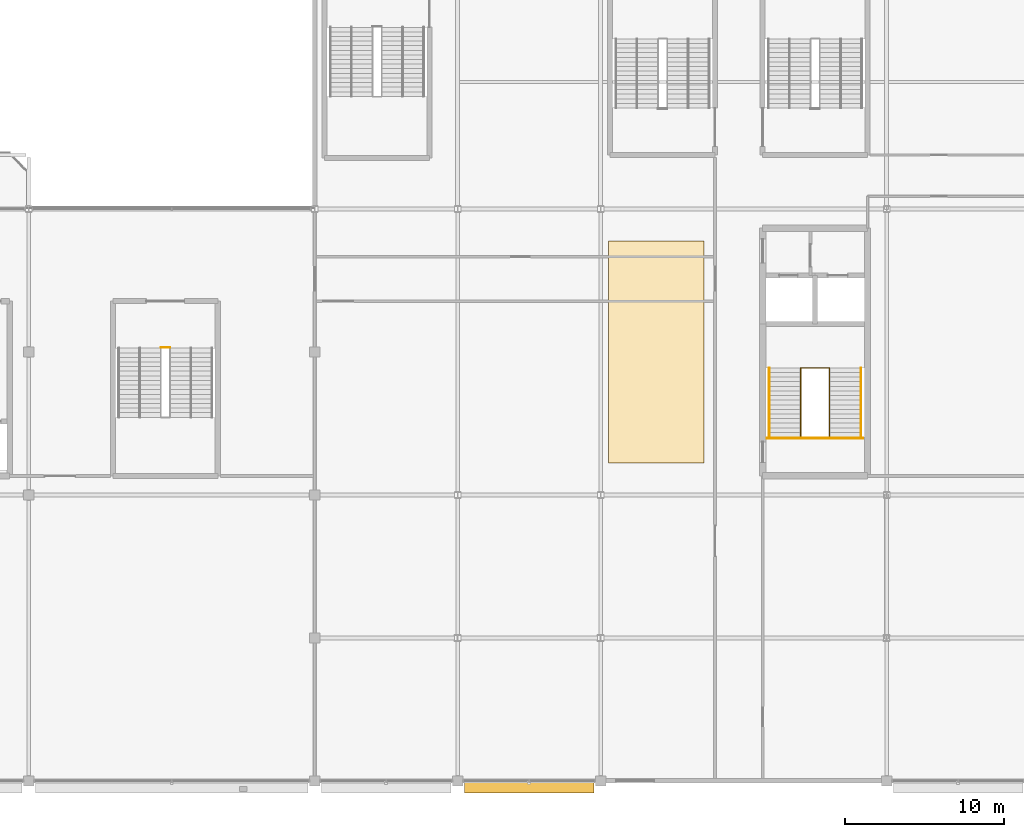
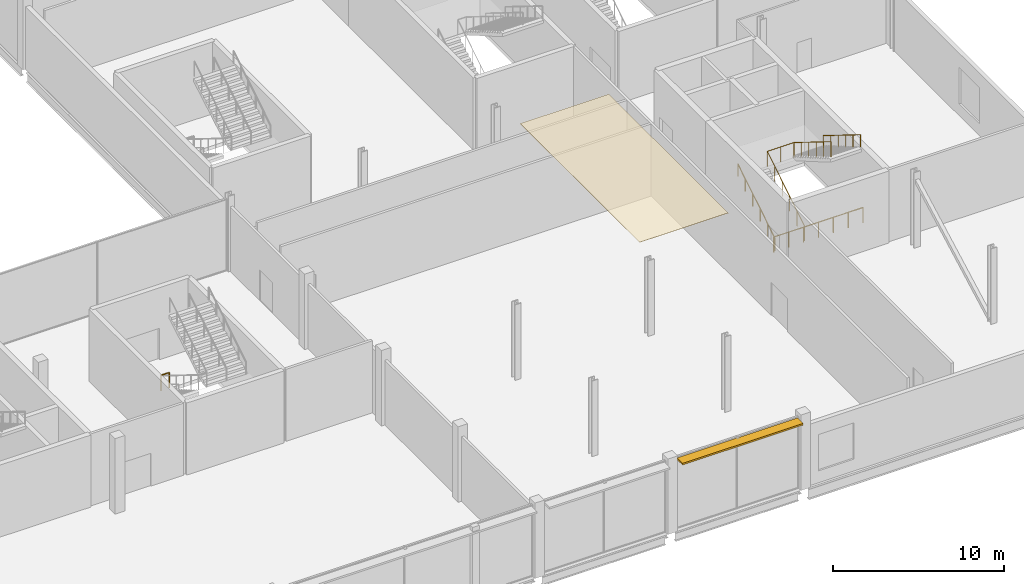
# One storey, part 107 of 113: 5 railings, 1 covering, 1 shading device.
"""IFC4 building model written with IfcOpenShell, lengths in metres."""

import ifcopenshell
import ifcopenshell.guid

model = None  # the IFC model being written
_history = None  # IfcOwnerHistory: only IFC2X3 demands one
_inside = {}  # id of a spatial element -> (the spatial element, [elements in it])
_under = {}  # id of a project, library or spatial element -> (it, [spatial elements below it])
_declared = {}  # id of a project -> (the project, [libraries it declares])
_typed = {}  # id of a type object -> (the type object, [elements of that type])
_made_of = {}  # id of a material, layer set ... -> (it, [elements and type objects made of it])


def new_model(schema):
    """Start an empty IFC model of exactly this schema.

    Asked for "IFC4X3", IfcOpenShell would pick the latest addendum, in which some entities
    have other attributes; the version numbers below select the first issue.
    IFC2X3 requires an IfcOwnerHistory on every rooted entity: one is made here for all.
    """
    global model, _history
    if schema == "IFC4X3":
        model = ifcopenshell.file(schema_version=(4, 3, 0, 0))
    else:
        model = ifcopenshell.file(schema=schema)
    _inside.clear()
    _under.clear()
    _declared.clear()
    _typed.clear()
    _made_of.clear()
    _history = None
    if model.schema == "IFC2X3":
        org = make("IfcOrganization", Name="unknown")
        user = make(
            "IfcPersonAndOrganization",
            ThePerson=make("IfcPerson", FamilyName="unknown"),
            TheOrganization=org,
        )
        app = make(
            "IfcApplication",
            ApplicationDeveloper=org,
            Version="unknown",
            ApplicationFullName="unknown",
            ApplicationIdentifier="unknown",
        )
        _history = make(
            "IfcOwnerHistory",
            OwningUser=user,
            OwningApplication=app,
            ChangeAction="ADDED",
            CreationDate=0,
        )
    return model


def make(cls, **values):
    """One entity of the class cls with the attributes given. An attribute that is None is left unset."""
    return model.create_entity(
        cls, **{name: value for name, value in values.items() if value is not None}
    )


def rooted(cls, **values):
    """An entity with a GlobalId (a new one), such as an element, a storey or a relation."""
    return make(cls, GlobalId=ifcopenshell.guid.new(), OwnerHistory=_history, **values)


def si_unit(unit_type, name, prefix=None):
    """IfcSIUnit, for example si_unit("LENGTHUNIT", "METRE", prefix="MILLI")."""
    return make("IfcSIUnit", UnitType=unit_type, Prefix=prefix, Name=name)


def assignment(units):
    """IfcUnitAssignment: the units of a project."""
    return None if units is None else make("IfcUnitAssignment", Units=units)


def point(xyz):
    """IfcCartesianPoint."""
    return None if xyz is None else make("IfcCartesianPoint", Coordinates=xyz)


def direction(xyz):
    """IfcDirection."""
    return None if xyz is None else make("IfcDirection", DirectionRatios=xyz)


def frame(location, z_axis=None, x_axis=None):
    """IfcAxis2Placement3D, a coordinate frame: its origin and axes. An axis left out is left unset."""
    return make(
        "IfcAxis2Placement3D",
        Location=point(location),
        Axis=direction(z_axis),
        RefDirection=direction(x_axis),
    )


def frame_2d(location, x_axis=None):
    """IfcAxis2Placement2D, a coordinate frame in the plane: its origin and x axis."""
    return make(
        "IfcAxis2Placement2D", Location=point(location), RefDirection=direction(x_axis)
    )


def origin():
    """The frame at (0, 0, 0) with its axes left unset."""
    return frame((0.0, 0.0, 0.0))


def origin_2d():
    """The frame at (0, 0) in the plane with its x axis left unset."""
    return frame_2d((0.0, 0.0))


def place(relative_to, where):
    """IfcLocalPlacement: puts the frame where relative to a parent placement (None: the world)."""
    return make(
        "IfcLocalPlacement", PlacementRelTo=relative_to, RelativePlacement=where
    )


def context(
    kind, dimensions, precision=None, world=None, true_north=None, identifier=None
):
    """IfcGeometricRepresentationContext, for example the 3D "Model" context."""
    return make(
        "IfcGeometricRepresentationContext",
        ContextIdentifier=identifier,
        ContextType=kind,
        CoordinateSpaceDimension=dimensions,
        Precision=precision,
        WorldCoordinateSystem=world,
        TrueNorth=true_north,
    )


def subcontext(parent, identifier, kind, view, scale=None):
    """IfcGeometricRepresentationSubContext, for example "Body" below "Model"."""
    return make(
        "IfcGeometricRepresentationSubContext",
        ContextIdentifier=identifier,
        ContextType=kind,
        ParentContext=parent,
        TargetScale=scale,
        TargetView=view,
    )


def project(units=None, contexts=None):
    """IfcProject with its units and contexts."""
    return rooted(
        "IfcProject",
        Name="project",
        RepresentationContexts=contexts,
        UnitsInContext=assignment(units),
    )


def spatial(cls, under=None, at=None, **own):
    """A site, building, storey or space (cls), placed at a placement, below another one or the project."""
    s = rooted(cls, ObjectPlacement=at, **own)
    if under is not None:
        _under.setdefault(under.id(), (under, []))[1].append(s)
    return s


def polyline(points):
    """IfcPolyline through the points."""
    return make("IfcPolyline", Points=[point(p) for p in points])


def profile(cls, at=None, kind="AREA", **sizes):
    """A parametric profile (cls). Its sizes go by their IFC names, for example OverallWidth=200.0."""
    return make(cls, ProfileType=kind, Position=at, **sizes)


def rectangle(**sizes):
    """IfcRectangleProfileDef."""
    return profile("IfcRectangleProfileDef", **sizes)


def circle(**sizes):
    """IfcCircleProfileDef."""
    return profile("IfcCircleProfileDef", **sizes)


def outline(outer, holes=None, kind="AREA"):
    """IfcArbitraryClosedProfileDef: a profile drawn as a closed curve; with holes, ...WithVoids."""
    if holes is None:
        return make("IfcArbitraryClosedProfileDef", ProfileType=kind, OuterCurve=outer)
    return make(
        "IfcArbitraryProfileDefWithVoids",
        ProfileType=kind,
        OuterCurve=outer,
        InnerCurves=holes,
    )


def extrude(swept, where, along, depth):
    """IfcExtrudedAreaSolid: the profile swept, set in the frame where, extruded along a direction by depth."""
    return make(
        "IfcExtrudedAreaSolid",
        SweptArea=swept,
        Position=where,
        ExtrudedDirection=direction(along),
        Depth=depth,
    )


def shape(context_of_items, identifier, shape_type, items):
    """IfcShapeRepresentation: the items that make up one representation, for example the "Body"."""
    return make(
        "IfcShapeRepresentation",
        ContextOfItems=context_of_items,
        RepresentationIdentifier=identifier,
        RepresentationType=shape_type,
        Items=items,
    )


def material(Name=None, Category=None):
    """IfcMaterial."""
    return make("IfcMaterial", Name=Name, Category=Category)


def layer(
    of_material, thickness, ventilated=None, Name=None, Category=None, Priority=None
):
    """IfcMaterialLayer: one layer of a wall or slab, of a material (None: an air gap)."""
    return make(
        "IfcMaterialLayer",
        Material=of_material,
        LayerThickness=thickness,
        IsVentilated=ventilated,
        Name=Name,
        Category=Category,
        Priority=Priority,
    )


def layer_set(layers, Name=None):
    """IfcMaterialLayerSet."""
    return make("IfcMaterialLayerSet", MaterialLayers=layers, LayerSetName=Name)


def made_of(thing, what):
    """Note that an element or type object is made of a material, layer set ...; save() writes the relation."""
    if what is not None:
        _made_of.setdefault(what.id(), (what, []))[1].append(thing)
    return thing


def type_object(cls, material=None, **own):
    """A type object (cls), such as IfcWallType, which elements share."""
    return made_of(rooted(cls, **own), material)


def element(
    cls,
    number,
    at=None,
    inside=None,
    cuts=None,
    type_object=None,
    material=None,
    context=None,
    identifier="Body",
    shape_type=None,
    held_by="IfcProductDefinitionShape",
    body=None,
    shapes=None,
    **own,
):
    """One element of the class cls, such as IfcWall. Its Tag is "e" and its number.

    at: its placement. inside: the storey or other place that contains it. cuts: it is an
    opening in that element (IfcRelVoidsElement). A single representation is given by context,
    identifier, shape_type and body (its items); several are given by shapes. held_by: the class
    of the entity that holds the representations. save() writes the other relations.
    """
    e = rooted(cls, Tag="e%d" % number, ObjectPlacement=at, **own)
    if body is not None:
        shapes = [shape(context, identifier, shape_type, body)]
    if shapes is not None:
        e.Representation = make(held_by, Representations=shapes)
    if inside is not None:
        _inside.setdefault(inside.id(), (inside, []))[1].append(e)
    if cuts is not None:
        rooted(
            "IfcRelVoidsElement", RelatingBuildingElement=cuts, RelatedOpeningElement=e
        )
    if type_object is not None:
        _typed.setdefault(type_object.id(), (type_object, []))[1].append(e)
    return made_of(e, material)


def aggregate(whole, parts):
    """IfcRelAggregates: a whole, such as a stair, and the parts it consists of."""
    return rooted("IfcRelAggregates", RelatingObject=whole, RelatedObjects=parts)


def save(model, path):
    """Write the relations noted so far, then the file.

    IfcRelAggregates (storeys below a building ...), IfcRelContainedInSpatialStructure (elements
    in a storey), IfcRelDefinesByType, IfcRelAssociatesMaterial and IfcRelDeclares: one each for
    every whole, place, type object, material and project.
    """
    for whole, parts in _under.values():
        aggregate(whole, parts)
    for where, things in _inside.values():
        rooted(
            "IfcRelContainedInSpatialStructure",
            RelatedElements=things,
            RelatingStructure=where,
        )
    for kind, things in _typed.values():
        rooted("IfcRelDefinesByType", RelatedObjects=things, RelatingType=kind)
    for what, things in _made_of.values():
        rooted("IfcRelAssociatesMaterial", RelatedObjects=things, RelatingMaterial=what)
    for by, libraries in _declared.values():
        rooted("IfcRelDeclares", RelatingContext=by, RelatedDefinitions=libraries)
    model.write(path)


model = new_model("IFC4")

# Units and contexts
model_context = context("Model", 3, precision=1e-05, world=origin(), true_north=direction((0.0, 1.0)))
body_context = subcontext(model_context, "Body", "Model", "MODEL_VIEW")
ifc_project = project(units=[si_unit("LENGTHUNIT", "METRE"), si_unit("AREAUNIT", "SQUARE_METRE"), si_unit("VOLUMEUNIT", "CUBIC_METRE"), si_unit("PLANEANGLEUNIT", "RADIAN"), si_unit("MASSUNIT", "GRAM", prefix="KILO")], contexts=[model_context])

# Site, building, storey
site_placement = place(None, origin())
site = spatial("IfcSite", under=ifc_project, at=site_placement, CompositionType="ELEMENT")
building_placement = place(site_placement, origin())
building = spatial("IfcBuilding", under=site, at=building_placement, Name="Kisiwana Market Hall", CompositionType="ELEMENT")
storey_placement = place(building_placement, frame((0.0, 0.0, 6.0)))
storey = spatial("IfcBuildingStorey", under=building, at=storey_placement, Name="L01", CompositionType="ELEMENT", Elevation=6.0)

# Covering
ifc_material_1 = material(Name="Mineral-fibre acoustic ceiling board")
ifc_layer = layer(ifc_material_1, 0.02490234375)
ifc_layer_set = layer_set([ifc_layer], Name="COV-CEIL-AC")
covering_type = type_object("IfcCoveringType", Name="COV-CEIL-AC", PredefinedType="CEILING", material=ifc_layer_set)
covering_placement = place(storey_placement, frame((0.0, 0.0, 5.125)))
element("IfcCovering", 1, at=covering_placement, inside=storey, type_object=covering_type, Name="Acoustic ceiling grid L01-009", PredefinedType="CEILING", context=body_context, shape_type="SweptSolid", body=[
    extrude(outline(polyline([(171.5, 20.0), (177.5, 20.0), (177.5, 34.0), (171.5, 34.0), (171.5, 20.0)])), origin(), (0.0, 0.0, 1.0), 0.02490234375),
])

# Railings
ifc_material_2 = material(Name="Steel S275", Category="steel")
railing_type_1 = type_object("IfcRailingType", Name="RL-GUARD-1100", PredefinedType="GUARDRAIL", material=ifc_material_2)
railing_1_placement = place(storey_placement, frame((183.60009765625, 21.6494140625, 0.0)))
element("IfcRailing", 2, at=railing_1_placement, inside=storey, type_object=railing_type_1, Name="Stair ST-E2-L01 inner-well guardrail (RL-319)", PredefinedType="GUARDRAIL", context=body_context, shape_type="SweptSolid", body=[
    extrude(circle(Radius=0.02392578125, at=origin_2d()), frame((0.0, 0.0, 1.076171875), z_axis=(0.0, 0.849649743971, 0.527347430608), x_axis=(-1.0, 0.0, 0.0)), (0.0, 0.0, 1.0), 5.119873046875),
    extrude(circle(Radius=0.02392578125, at=origin_2d()), frame((0.0, 4.35009765625, 3.77587890625), z_axis=(1.0, 0.0, 0.0), x_axis=(0.0, 1.0, 0.0)), (0.0, 0.0, 1.0), 1.7998046875),
    extrude(circle(Radius=0.02392578125, at=origin_2d()), frame((1.7998046875, 4.35009765625, 3.77587890625), z_axis=(0.0, -0.849649743971, 0.527347430608), x_axis=(1.0, 0.0, 0.0)), (0.0, 0.0, 1.0), 5.119873046875),
    extrude(circle(Radius=0.02099609375, at=origin_2d()), origin(), (0.0, 0.0, 1.0), 1.052001953125),
    extrude(circle(Radius=0.02099609375, at=origin_2d()), frame((0.0, 0.8701171875, 0.5400390625)), (0.0, 0.0, 1.0), 1.052001953125),
    extrude(circle(Radius=0.02099609375, at=origin_2d()), frame((0.0, 1.739990234375, 1.080078125)), (0.0, 0.0, 1.0), 1.052001953125),
    extrude(circle(Radius=0.02099609375, at=origin_2d()), frame((0.0, 2.610107421875, 1.619873046875)), (0.0, 0.0, 1.0), 1.052001953125),
    extrude(circle(Radius=0.02099609375, at=origin_2d()), frame((0.0, 3.47998046875, 2.159912109375)), (0.0, 0.0, 1.0), 1.052001953125),
    extrude(circle(Radius=0.02099609375, at=origin_2d()), frame((0.0, 4.35009765625, 2.699951171875)), (0.0, 0.0, 1.0), 1.052001953125),
    extrude(circle(Radius=0.02099609375, at=origin_2d()), frame((0.89990234375, 4.35009765625, 2.699951171875)), (0.0, 0.0, 1.0), 1.052001953125),
    extrude(circle(Radius=0.02099609375, at=origin_2d()), frame((1.7998046875, 4.35009765625, 2.699951171875)), (0.0, 0.0, 1.0), 1.052001953125),
    extrude(circle(Radius=0.02099609375, at=origin_2d()), frame((1.7998046875, 3.47998046875, 3.239990234375)), (0.0, 0.0, 1.0), 1.052001953125),
    extrude(circle(Radius=0.02099609375, at=origin_2d()), frame((1.7998046875, 2.610107421875, 3.780029296875)), (0.0, 0.0, 1.0), 1.052001953125),
    extrude(circle(Radius=0.02099609375, at=origin_2d()), frame((1.7998046875, 1.739990234375, 4.31982421875)), (0.0, 0.0, 1.0), 1.052001953125),
    extrude(circle(Radius=0.02099609375, at=origin_2d()), frame((1.7998046875, 0.8701171875, 4.85986328125)), (0.0, 0.0, 1.0), 1.052001953125),
    extrude(circle(Radius=0.02099609375, at=origin_2d()), frame((1.7998046875, 0.0, 5.39990234375)), (0.0, 0.0, 1.0), 1.052001953125),
])
railing_2_placement = place(storey_placement, frame((181.47998046875, 21.569580078125, 0.0)))
element("IfcRailing", 3, at=railing_2_placement, inside=storey, type_object=railing_type_1, Name="Stair ST-E2-L01 landing edge guardrail (RL-322)", PredefinedType="GUARDRAIL", context=body_context, shape_type="SweptSolid", body=[
    extrude(circle(Radius=0.02392578125, at=origin_2d()), frame((0.0, 0.0, 1.076171875), z_axis=(1.0, 0.0, 0.0), x_axis=(0.0, 1.0, 0.0)), (0.0, 0.0, 1.0), 6.0400390625),
    extrude(circle(Radius=0.02099609375, at=origin_2d()), origin(), (0.0, 0.0, 1.0), 1.052001953125),
    extrude(circle(Radius=0.02099609375, at=origin_2d()), frame((1.006591796875, 0.0, 0.0)), (0.0, 0.0, 1.0), 1.052001953125),
    extrude(circle(Radius=0.02099609375, at=origin_2d()), frame((2.013427734375, 0.0, 0.0)), (0.0, 0.0, 1.0), 1.052001953125),
    extrude(circle(Radius=0.02099609375, at=origin_2d()), frame((3.02001953125, 0.0, 0.0)), (0.0, 0.0, 1.0), 1.052001953125),
    extrude(circle(Radius=0.02099609375, at=origin_2d()), frame((4.026611328125, 0.0, 0.0)), (0.0, 0.0, 1.0), 1.052001953125),
    extrude(circle(Radius=0.02099609375, at=origin_2d()), frame((5.033447265625, 0.0, 0.0)), (0.0, 0.0, 1.0), 1.052001953125),
    extrude(circle(Radius=0.02099609375, at=origin_2d()), frame((6.0400390625, 0.0, 0.0)), (0.0, 0.0, 1.0), 1.052001953125),
])
railing_3_placement = place(storey_placement, frame((143.320068359375, 27.2900390625, 0.0)))
element("IfcRailing", 4, at=railing_3_placement, inside=storey, type_object=railing_type_1, Name="Stair ST-S6-L01 landing edge guardrail (RL-468)", PredefinedType="GUARDRAIL", context=body_context, shape_type="SweptSolid", body=[
    extrude(circle(Radius=0.02392578125, at=origin_2d()), frame((0.0, 0.0, 1.076171875), z_axis=(1.0, 0.0, 0.0), x_axis=(0.0, 1.0, 0.0)), (0.0, 0.0, 1.0), 0.559814453125),
    extrude(circle(Radius=0.02099609375, at=origin_2d()), origin(), (0.0, 0.0, 1.0), 1.052001953125),
    extrude(circle(Radius=0.02099609375, at=origin_2d()), frame((0.559814453125, 0.0, 0.0)), (0.0, 0.0, 1.0), 1.052001953125),
])
ifc_material_3 = material(Name="Steel S275", Category="steel")
railing_type_2 = type_object("IfcRailingType", Name="RL-HAND-900", PredefinedType="HANDRAIL", material=ifc_material_3)
railing_4_placement = place(storey_placement, frame((181.610107421875, 21.6494140625, 0.0)))
element("IfcRailing", 5, at=railing_4_placement, inside=storey, type_object=railing_type_2, Name="Stair ST-E2-L01 flight 1 handrail (RL-320)", PredefinedType="HANDRAIL", context=body_context, shape_type="SweptSolid", body=[
    extrude(circle(Radius=0.02392578125, at=origin_2d()), frame((0.0, 0.0, 0.8759765625), z_axis=(0.0, 0.849649743971, 0.527347430608), x_axis=(-1.0, 0.0, 0.0)), (0.0, 0.0, 1.0), 5.119873046875),
    extrude(circle(Radius=0.02099609375, at=origin_2d()), origin(), (0.0, 0.0, 1.0), 0.851806640625),
    extrude(circle(Radius=0.02099609375, at=origin_2d()), frame((0.0, 0.8701171875, 0.5400390625)), (0.0, 0.0, 1.0), 0.851806640625),
    extrude(circle(Radius=0.02099609375, at=origin_2d()), frame((0.0, 1.739990234375, 1.080078125)), (0.0, 0.0, 1.0), 0.851806640625),
    extrude(circle(Radius=0.02099609375, at=origin_2d()), frame((0.0, 2.610107421875, 1.619873046875)), (0.0, 0.0, 1.0), 0.851806640625),
    extrude(circle(Radius=0.02099609375, at=origin_2d()), frame((0.0, 3.47998046875, 2.159912109375)), (0.0, 0.0, 1.0), 0.851806640625),
    extrude(circle(Radius=0.02099609375, at=origin_2d()), frame((0.0, 4.35009765625, 2.699951171875)), (0.0, 0.0, 1.0), 0.851806640625),
])
railing_5_placement = place(storey_placement, frame((187.389892578125, 25.99951171875, 2.699951171875)))
element("IfcRailing", 6, at=railing_5_placement, inside=storey, type_object=railing_type_2, Name="Stair ST-E2-L01 flight 2 handrail (RL-321)", PredefinedType="HANDRAIL", context=body_context, shape_type="SweptSolid", body=[
    extrude(circle(Radius=0.02392578125, at=origin_2d()), frame((0.0, 0.0, 0.8759765625), z_axis=(0.0, -0.849649743971, 0.527347430608), x_axis=(1.0, 0.0, 0.0)), (0.0, 0.0, 1.0), 5.119873046875),
    extrude(circle(Radius=0.02099609375, at=origin_2d()), origin(), (0.0, 0.0, 1.0), 0.851806640625),
    extrude(circle(Radius=0.02099609375, at=origin_2d()), frame((0.0, -0.8701171875, 0.5400390625)), (0.0, 0.0, 1.0), 0.851806640625),
    extrude(circle(Radius=0.02099609375, at=origin_2d()), frame((0.0, -1.739990234375, 1.080078125)), (0.0, 0.0, 1.0), 0.851806640625),
    extrude(circle(Radius=0.02099609375, at=origin_2d()), frame((0.0, -2.610107421875, 1.619873046875)), (0.0, 0.0, 1.0), 0.851806640625),
    extrude(circle(Radius=0.02099609375, at=origin_2d()), frame((0.0, -3.47998046875, 2.159912109375)), (0.0, 0.0, 1.0), 0.851806640625),
    extrude(circle(Radius=0.02099609375, at=origin_2d()), frame((0.0, -4.35009765625, 2.699951171875)), (0.0, 0.0, 1.0), 0.851806640625),
])

# Shading device
ifc_material_4 = material(Name="Aluminium alloy 6063-T6", Category="aluminium")
shading_device_type = type_object("IfcShadingDeviceType", Name="SHD-JALOUSIE-H", PredefinedType="JALOUSIE", material=ifc_material_4)
shading_device_placement = place(storey_placement, frame((166.5, -0.419921875, 4.969970703125), z_axis=(0.0, 0.0, 1.0), x_axis=(1.0, 0.0, 0.0)))
element("IfcShadingDevice", 7, at=shading_device_placement, inside=storey, type_object=shading_device_type, Name="Aluminium brise-soleil louvre SHD-018 SD-018", PredefinedType="JALOUSIE", context=body_context, shape_type="SweptSolid", body=[
    extrude(rectangle(XDim=8.14990234375, YDim=0.64990234375, at=origin_2d()), origin(), (0.0, 0.0, 1.0), 0.1201171875),
])

save(model, "model.ifc")
